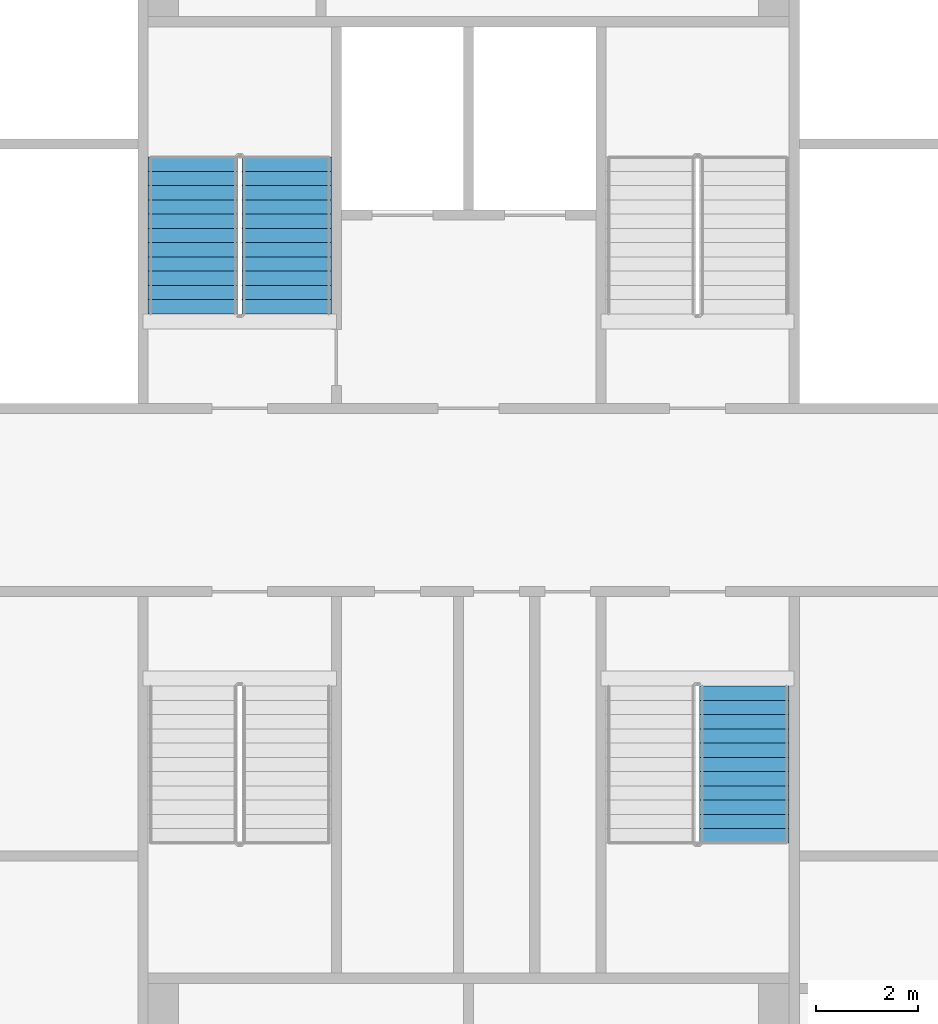
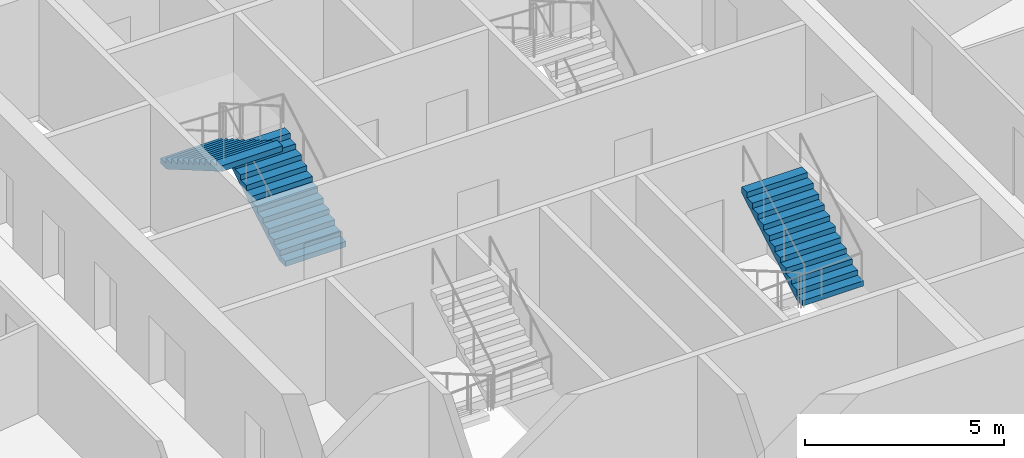
# One storey, part 9 of 15: 3 stair flights, 2 elements without a shape of their own.
"""IFC4 building model written with IfcOpenShell, lengths in metres."""

from ifc_helpers import new_model, si_unit, direction, frame, origin, place, context, subcontext, project, spatial, faceted_brep, material, type_object, element, aggregate, save


model = new_model("IFC4")

# Units and contexts
model_context = context("Model", 3, precision=1e-05, world=origin(), true_north=direction((0.0, 1.0)))
body_context = subcontext(model_context, "Body", "Model", "MODEL_VIEW")
ifc_project = project(units=[si_unit("LENGTHUNIT", "METRE"), si_unit("AREAUNIT", "SQUARE_METRE"), si_unit("VOLUMEUNIT", "CUBIC_METRE"), si_unit("PLANEANGLEUNIT", "RADIAN"), si_unit("MASSUNIT", "GRAM", prefix="KILO")], contexts=[model_context])

# Site, building, storey
site_placement = place(None, origin())
site = spatial("IfcSite", under=ifc_project, at=site_placement, CompositionType="ELEMENT")
building_placement = place(site_placement, origin())
building = spatial("IfcBuilding", under=site, at=building_placement, Name="Tarsis Ring Headquarters", CompositionType="ELEMENT")
storey_placement = place(building_placement, frame((0.0, 0.0, 319.699951171875)))
storey = spatial("IfcBuildingStorey", under=building, at=storey_placement, Name="L75", CompositionType="ELEMENT", Elevation=319.699951171875)

# Stair, stair flights
ifc_material_1 = material(Name="Core stair 1760")
stair_type = type_object("IfcStairType", Name="Core stair 1760", PredefinedType="HALF_TURN_STAIR", material=ifc_material_1)
stair_1_placement = place(storey_placement, origin())
stair_1 = element("IfcStair", 1, at=stair_1_placement, inside=storey, type_object=stair_type, Name="L75 Firefighting stair", PredefinedType="HALF_TURN_STAIR")
ifc_material_2 = material(Name="Concrete C40/50", Category="concrete")
stair_flight_type = type_object("IfcStairFlightType", Name="Core stair flight 1760", PredefinedType="STRAIGHT", material=ifc_material_2)
stair_flight_1_placement = place(storey_placement, frame((-3.580078125, 3.659912109375, 0.0), z_axis=(0.0, 0.0, 1.0), x_axis=(0.0, 1.0, 0.0)))
stair_flight_1 = element("IfcStairFlight", 2, at=stair_flight_1_placement, type_object=stair_flight_type, Name="Stair ST1 flight 1", NumberOfRisers=12, NumberOfTreads=11, PredefinedType="STRAIGHT", RiserHeight=0.1625, TreadLength=0.28, context=body_context, shape_type="Brep", body=[
    faceted_brep([(0.0, 0.8798828125, 0.0), (0.0, 0.8798828125, 0.16259765625), (0.280029296875, 0.8798828125, 0.16259765625), (0.280029296875, 0.8798828125, 0.324951171875), (0.56005859375, 0.8798828125, 0.324951171875), (0.56005859375, 0.8798828125, 0.487548828125), (0.840087890625, 0.8798828125, 0.487548828125), (0.840087890625, 0.8798828125, 0.64990234375), (1.1201171875, 0.8798828125, 0.64990234375), (1.1201171875, 0.8798828125, 0.8125), (1.39990234375, 0.8798828125, 0.8125), (1.39990234375, 0.8798828125, 0.97509765625), (1.679931640625, 0.8798828125, 0.97509765625), (1.679931640625, 0.8798828125, 1.137451171875), (1.9599609375, 0.8798828125, 1.137451171875), (1.9599609375, 0.8798828125, 1.300048828125), (2.239990234375, 0.8798828125, 1.300048828125), (2.239990234375, 0.8798828125, 1.46240234375), (2.52001953125, 0.8798828125, 1.46240234375), (2.52001953125, 0.8798828125, 1.625), (2.800048828125, 0.8798828125, 1.625), (2.800048828125, 0.8798828125, 1.78759765625), (3.080078125, 0.8798828125, 1.78759765625), (3.080078125, 0.8798828125, 1.6142578125), (0.298583984375, 0.8798828125, 0.0), (0.298583984375, -0.8798828125, 0.0), (3.080078125, -0.8798828125, 1.6142578125), (3.080078125, -0.8798828125, 1.78759765625), (2.800048828125, -0.8798828125, 1.78759765625), (2.800048828125, -0.8798828125, 1.625), (2.52001953125, -0.8798828125, 1.625), (2.52001953125, -0.8798828125, 1.46240234375), (2.239990234375, -0.8798828125, 1.46240234375), (2.239990234375, -0.8798828125, 1.300048828125), (1.9599609375, -0.8798828125, 1.300048828125), (1.9599609375, -0.8798828125, 1.137451171875), (1.679931640625, -0.8798828125, 1.137451171875), (1.679931640625, -0.8798828125, 0.97509765625), (1.39990234375, -0.8798828125, 0.97509765625), (1.39990234375, -0.8798828125, 0.8125), (1.1201171875, -0.8798828125, 0.8125), (1.1201171875, -0.8798828125, 0.64990234375), (0.840087890625, -0.8798828125, 0.64990234375), (0.840087890625, -0.8798828125, 0.487548828125), (0.56005859375, -0.8798828125, 0.487548828125), (0.56005859375, -0.8798828125, 0.324951171875), (0.280029296875, -0.8798828125, 0.324951171875), (0.280029296875, -0.8798828125, 0.16259765625), (0.0, -0.8798828125, 0.16259765625), (0.0, -0.8798828125, 0.0), (0.0, -0.43994140625, 0.16259765625), (0.0, -0.43994140625, 0.0), (0.0, 0.0, 0.16259765625), (0.0, 0.0, 0.0), (0.0, 0.43994140625, 0.16259765625), (0.0, 0.43994140625, 0.0), (0.280029296875, -0.43994140625, 0.16259765625), (0.280029296875, 0.0, 0.16259765625), (0.280029296875, 0.43994140625, 0.16259765625), (0.280029296875, -0.43994140625, 0.324951171875), (0.280029296875, 0.0, 0.324951171875), (0.280029296875, 0.43994140625, 0.324951171875), (0.56005859375, -0.43994140625, 0.324951171875), (0.56005859375, 0.0, 0.324951171875), (0.56005859375, 0.43994140625, 0.324951171875), (0.56005859375, -0.43994140625, 0.487548828125), (0.56005859375, 0.0, 0.487548828125), (0.56005859375, 0.43994140625, 0.487548828125), (0.840087890625, -0.43994140625, 0.487548828125), (0.840087890625, 0.0, 0.487548828125), (0.840087890625, 0.43994140625, 0.487548828125), (0.840087890625, -0.43994140625, 0.64990234375), (0.840087890625, 0.0, 0.64990234375), (0.840087890625, 0.43994140625, 0.64990234375), (1.1201171875, -0.43994140625, 0.64990234375), (1.1201171875, 0.0, 0.64990234375), (1.1201171875, 0.43994140625, 0.64990234375), (1.1201171875, -0.43994140625, 0.8125), (1.1201171875, 0.0, 0.8125), (1.1201171875, 0.43994140625, 0.8125), (1.39990234375, -0.43994140625, 0.8125), (1.39990234375, 0.0, 0.8125), (1.39990234375, 0.43994140625, 0.8125), (1.39990234375, -0.43994140625, 0.97509765625), (1.39990234375, 0.0, 0.97509765625), (1.39990234375, 0.43994140625, 0.97509765625), (1.679931640625, -0.43994140625, 0.97509765625), (1.679931640625, 0.0, 0.97509765625), (1.679931640625, 0.43994140625, 0.97509765625), (1.679931640625, -0.43994140625, 1.137451171875), (1.679931640625, 0.0, 1.137451171875), (1.679931640625, 0.43994140625, 1.137451171875), (1.9599609375, -0.43994140625, 1.137451171875), (1.9599609375, 0.0, 1.137451171875), (1.9599609375, 0.43994140625, 1.137451171875), (1.9599609375, -0.43994140625, 1.300048828125), (1.9599609375, 0.0, 1.300048828125), (1.9599609375, 0.43994140625, 1.300048828125), (2.239990234375, -0.43994140625, 1.300048828125), (2.239990234375, 0.0, 1.300048828125), (2.239990234375, 0.43994140625, 1.300048828125), (2.239990234375, -0.43994140625, 1.46240234375), (2.239990234375, 0.0, 1.46240234375), (2.239990234375, 0.43994140625, 1.46240234375), (2.52001953125, -0.43994140625, 1.46240234375), (2.52001953125, 0.0, 1.46240234375), (2.52001953125, 0.43994140625, 1.46240234375), (2.52001953125, -0.43994140625, 1.625), (2.52001953125, 0.0, 1.625), (2.52001953125, 0.43994140625, 1.625), (2.800048828125, -0.43994140625, 1.625), (2.800048828125, 0.0, 1.625), (2.800048828125, 0.43994140625, 1.625), (2.800048828125, -0.43994140625, 1.78759765625), (2.800048828125, 0.0, 1.78759765625), (2.800048828125, 0.43994140625, 1.78759765625), (3.080078125, -0.43994140625, 1.78759765625), (3.080078125, 0.0, 1.78759765625), (3.080078125, 0.43994140625, 1.78759765625), (3.080078125, -0.43994140625, 1.6142578125), (3.080078125, 0.0, 1.6142578125), (3.080078125, 0.43994140625, 1.6142578125), (0.298583984375, -0.43994140625, 0.0), (0.298583984375, 0.0, 0.0), (0.298583984375, 0.43994140625, 0.0)], [[[0, 1, 2, 3, 4, 5, 6, 7, 8, 9, 10, 11, 12, 13, 14, 15, 16, 17, 18, 19, 20, 21, 22, 23, 24]], [[25, 26, 27, 28, 29, 30, 31, 32, 33, 34, 35, 36, 37, 38, 39, 40, 41, 42, 43, 44, 45, 46, 47, 48, 49]], [[49, 48, 50, 51]], [[51, 50, 52, 53]], [[53, 52, 54, 55]], [[55, 54, 1, 0]], [[48, 47, 56, 50]], [[50, 56, 57, 52]], [[52, 57, 58, 54]], [[54, 58, 2, 1]], [[47, 46, 59, 56]], [[56, 59, 60, 57]], [[57, 60, 61, 58]], [[58, 61, 3, 2]], [[46, 45, 62, 59]], [[59, 62, 63, 60]], [[60, 63, 64, 61]], [[61, 64, 4, 3]], [[45, 44, 65, 62]], [[62, 65, 66, 63]], [[63, 66, 67, 64]], [[64, 67, 5, 4]], [[44, 43, 68, 65]], [[65, 68, 69, 66]], [[66, 69, 70, 67]], [[67, 70, 6, 5]], [[43, 42, 71, 68]], [[68, 71, 72, 69]], [[69, 72, 73, 70]], [[70, 73, 7, 6]], [[42, 41, 74, 71]], [[71, 74, 75, 72]], [[72, 75, 76, 73]], [[73, 76, 8, 7]], [[41, 40, 77, 74]], [[74, 77, 78, 75]], [[75, 78, 79, 76]], [[76, 79, 9, 8]], [[40, 39, 80, 77]], [[77, 80, 81, 78]], [[78, 81, 82, 79]], [[79, 82, 10, 9]], [[39, 38, 83, 80]], [[80, 83, 84, 81]], [[81, 84, 85, 82]], [[82, 85, 11, 10]], [[38, 37, 86, 83]], [[83, 86, 87, 84]], [[84, 87, 88, 85]], [[85, 88, 12, 11]], [[37, 36, 89, 86]], [[86, 89, 90, 87]], [[87, 90, 91, 88]], [[88, 91, 13, 12]], [[36, 35, 92, 89]], [[89, 92, 93, 90]], [[90, 93, 94, 91]], [[91, 94, 14, 13]], [[35, 34, 95, 92]], [[92, 95, 96, 93]], [[93, 96, 97, 94]], [[94, 97, 15, 14]], [[34, 33, 98, 95]], [[95, 98, 99, 96]], [[96, 99, 100, 97]], [[97, 100, 16, 15]], [[33, 32, 101, 98]], [[98, 101, 102, 99]], [[99, 102, 103, 100]], [[100, 103, 17, 16]], [[32, 31, 104, 101]], [[101, 104, 105, 102]], [[102, 105, 106, 103]], [[103, 106, 18, 17]], [[31, 30, 107, 104]], [[104, 107, 108, 105]], [[105, 108, 109, 106]], [[106, 109, 19, 18]], [[30, 29, 110, 107]], [[107, 110, 111, 108]], [[108, 111, 112, 109]], [[109, 112, 20, 19]], [[29, 28, 113, 110]], [[110, 113, 114, 111]], [[111, 114, 115, 112]], [[112, 115, 21, 20]], [[28, 27, 116, 113]], [[113, 116, 117, 114]], [[114, 117, 118, 115]], [[115, 118, 22, 21]], [[27, 26, 119, 116]], [[116, 119, 120, 117]], [[117, 120, 121, 118]], [[118, 121, 23, 22]], [[26, 25, 122, 119]], [[119, 122, 123, 120]], [[120, 123, 124, 121]], [[121, 124, 24, 23]], [[25, 49, 51, 122]], [[122, 51, 53, 123]], [[123, 53, 55, 124]], [[124, 55, 0, 24]]]),
])
stair_flight_2_placement = place(storey_placement, frame((-5.419921875, 6.739990234375, 1.949951171875), z_axis=(0.0, 0.0, 1.0), x_axis=(0.0, -1.0, 0.0)))
stair_flight_2 = element("IfcStairFlight", 3, at=stair_flight_2_placement, type_object=stair_flight_type, Name="Stair ST1 flight 2", NumberOfRisers=12, NumberOfTreads=11, PredefinedType="STRAIGHT", RiserHeight=0.1625, TreadLength=0.28, context=body_context, shape_type="Brep", body=[
    faceted_brep([(0.0, 0.8798828125, 0.0), (0.0, 0.8798828125, 0.16259765625), (0.280029296875, 0.8798828125, 0.16259765625), (0.280029296875, 0.8798828125, 0.324951171875), (0.56005859375, 0.8798828125, 0.324951171875), (0.56005859375, 0.8798828125, 0.487548828125), (0.840087890625, 0.8798828125, 0.487548828125), (0.840087890625, 0.8798828125, 0.64990234375), (1.1201171875, 0.8798828125, 0.64990234375), (1.1201171875, 0.8798828125, 0.8125), (1.39990234375, 0.8798828125, 0.8125), (1.39990234375, 0.8798828125, 0.97509765625), (1.679931640625, 0.8798828125, 0.97509765625), (1.679931640625, 0.8798828125, 1.137451171875), (1.9599609375, 0.8798828125, 1.137451171875), (1.9599609375, 0.8798828125, 1.300048828125), (2.239990234375, 0.8798828125, 1.300048828125), (2.239990234375, 0.8798828125, 1.46240234375), (2.52001953125, 0.8798828125, 1.46240234375), (2.52001953125, 0.8798828125, 1.625), (2.800048828125, 0.8798828125, 1.625), (2.800048828125, 0.8798828125, 1.78759765625), (3.080078125, 0.8798828125, 1.78759765625), (3.080078125, 0.8798828125, 1.6142578125), (0.298583984375, 0.8798828125, 0.0), (0.298583984375, -0.8798828125, 0.0), (3.080078125, -0.8798828125, 1.6142578125), (3.080078125, -0.8798828125, 1.78759765625), (2.800048828125, -0.8798828125, 1.78759765625), (2.800048828125, -0.8798828125, 1.625), (2.52001953125, -0.8798828125, 1.625), (2.52001953125, -0.8798828125, 1.46240234375), (2.239990234375, -0.8798828125, 1.46240234375), (2.239990234375, -0.8798828125, 1.300048828125), (1.9599609375, -0.8798828125, 1.300048828125), (1.9599609375, -0.8798828125, 1.137451171875), (1.679931640625, -0.8798828125, 1.137451171875), (1.679931640625, -0.8798828125, 0.97509765625), (1.39990234375, -0.8798828125, 0.97509765625), (1.39990234375, -0.8798828125, 0.8125), (1.1201171875, -0.8798828125, 0.8125), (1.1201171875, -0.8798828125, 0.64990234375), (0.840087890625, -0.8798828125, 0.64990234375), (0.840087890625, -0.8798828125, 0.487548828125), (0.56005859375, -0.8798828125, 0.487548828125), (0.56005859375, -0.8798828125, 0.324951171875), (0.280029296875, -0.8798828125, 0.324951171875), (0.280029296875, -0.8798828125, 0.16259765625), (0.0, -0.8798828125, 0.16259765625), (0.0, -0.8798828125, 0.0), (0.0, -0.43994140625, 0.16259765625), (0.0, -0.43994140625, 0.0), (0.0, 0.0, 0.16259765625), (0.0, 0.0, 0.0), (0.0, 0.43994140625, 0.16259765625), (0.0, 0.43994140625, 0.0), (0.280029296875, -0.43994140625, 0.16259765625), (0.280029296875, 0.0, 0.16259765625), (0.280029296875, 0.43994140625, 0.16259765625), (0.280029296875, -0.43994140625, 0.324951171875), (0.280029296875, 0.0, 0.324951171875), (0.280029296875, 0.43994140625, 0.324951171875), (0.56005859375, -0.43994140625, 0.324951171875), (0.56005859375, 0.0, 0.324951171875), (0.56005859375, 0.43994140625, 0.324951171875), (0.56005859375, -0.43994140625, 0.487548828125), (0.56005859375, 0.0, 0.487548828125), (0.56005859375, 0.43994140625, 0.487548828125), (0.840087890625, -0.43994140625, 0.487548828125), (0.840087890625, 0.0, 0.487548828125), (0.840087890625, 0.43994140625, 0.487548828125), (0.840087890625, -0.43994140625, 0.64990234375), (0.840087890625, 0.0, 0.64990234375), (0.840087890625, 0.43994140625, 0.64990234375), (1.1201171875, -0.43994140625, 0.64990234375), (1.1201171875, 0.0, 0.64990234375), (1.1201171875, 0.43994140625, 0.64990234375), (1.1201171875, -0.43994140625, 0.8125), (1.1201171875, 0.0, 0.8125), (1.1201171875, 0.43994140625, 0.8125), (1.39990234375, -0.43994140625, 0.8125), (1.39990234375, 0.0, 0.8125), (1.39990234375, 0.43994140625, 0.8125), (1.39990234375, -0.43994140625, 0.97509765625), (1.39990234375, 0.0, 0.97509765625), (1.39990234375, 0.43994140625, 0.97509765625), (1.679931640625, -0.43994140625, 0.97509765625), (1.679931640625, 0.0, 0.97509765625), (1.679931640625, 0.43994140625, 0.97509765625), (1.679931640625, -0.43994140625, 1.137451171875), (1.679931640625, 0.0, 1.137451171875), (1.679931640625, 0.43994140625, 1.137451171875), (1.9599609375, -0.43994140625, 1.137451171875), (1.9599609375, 0.0, 1.137451171875), (1.9599609375, 0.43994140625, 1.137451171875), (1.9599609375, -0.43994140625, 1.300048828125), (1.9599609375, 0.0, 1.300048828125), (1.9599609375, 0.43994140625, 1.300048828125), (2.239990234375, -0.43994140625, 1.300048828125), (2.239990234375, 0.0, 1.300048828125), (2.239990234375, 0.43994140625, 1.300048828125), (2.239990234375, -0.43994140625, 1.46240234375), (2.239990234375, 0.0, 1.46240234375), (2.239990234375, 0.43994140625, 1.46240234375), (2.52001953125, -0.43994140625, 1.46240234375), (2.52001953125, 0.0, 1.46240234375), (2.52001953125, 0.43994140625, 1.46240234375), (2.52001953125, -0.43994140625, 1.625), (2.52001953125, 0.0, 1.625), (2.52001953125, 0.43994140625, 1.625), (2.800048828125, -0.43994140625, 1.625), (2.800048828125, 0.0, 1.625), (2.800048828125, 0.43994140625, 1.625), (2.800048828125, -0.43994140625, 1.78759765625), (2.800048828125, 0.0, 1.78759765625), (2.800048828125, 0.43994140625, 1.78759765625), (3.080078125, -0.43994140625, 1.78759765625), (3.080078125, 0.0, 1.78759765625), (3.080078125, 0.43994140625, 1.78759765625), (3.080078125, -0.43994140625, 1.6142578125), (3.080078125, 0.0, 1.6142578125), (3.080078125, 0.43994140625, 1.6142578125), (0.298583984375, -0.43994140625, 0.0), (0.298583984375, 0.0, 0.0), (0.298583984375, 0.43994140625, 0.0)], [[[0, 1, 2, 3, 4, 5, 6, 7, 8, 9, 10, 11, 12, 13, 14, 15, 16, 17, 18, 19, 20, 21, 22, 23, 24]], [[25, 26, 27, 28, 29, 30, 31, 32, 33, 34, 35, 36, 37, 38, 39, 40, 41, 42, 43, 44, 45, 46, 47, 48, 49]], [[49, 48, 50, 51]], [[51, 50, 52, 53]], [[53, 52, 54, 55]], [[55, 54, 1, 0]], [[48, 47, 56, 50]], [[50, 56, 57, 52]], [[52, 57, 58, 54]], [[54, 58, 2, 1]], [[47, 46, 59, 56]], [[56, 59, 60, 57]], [[57, 60, 61, 58]], [[58, 61, 3, 2]], [[46, 45, 62, 59]], [[59, 62, 63, 60]], [[60, 63, 64, 61]], [[61, 64, 4, 3]], [[45, 44, 65, 62]], [[62, 65, 66, 63]], [[63, 66, 67, 64]], [[64, 67, 5, 4]], [[44, 43, 68, 65]], [[65, 68, 69, 66]], [[66, 69, 70, 67]], [[67, 70, 6, 5]], [[43, 42, 71, 68]], [[68, 71, 72, 69]], [[69, 72, 73, 70]], [[70, 73, 7, 6]], [[42, 41, 74, 71]], [[71, 74, 75, 72]], [[72, 75, 76, 73]], [[73, 76, 8, 7]], [[41, 40, 77, 74]], [[74, 77, 78, 75]], [[75, 78, 79, 76]], [[76, 79, 9, 8]], [[40, 39, 80, 77]], [[77, 80, 81, 78]], [[78, 81, 82, 79]], [[79, 82, 10, 9]], [[39, 38, 83, 80]], [[80, 83, 84, 81]], [[81, 84, 85, 82]], [[82, 85, 11, 10]], [[38, 37, 86, 83]], [[83, 86, 87, 84]], [[84, 87, 88, 85]], [[85, 88, 12, 11]], [[37, 36, 89, 86]], [[86, 89, 90, 87]], [[87, 90, 91, 88]], [[88, 91, 13, 12]], [[36, 35, 92, 89]], [[89, 92, 93, 90]], [[90, 93, 94, 91]], [[91, 94, 14, 13]], [[35, 34, 95, 92]], [[92, 95, 96, 93]], [[93, 96, 97, 94]], [[94, 97, 15, 14]], [[34, 33, 98, 95]], [[95, 98, 99, 96]], [[96, 99, 100, 97]], [[97, 100, 16, 15]], [[33, 32, 101, 98]], [[98, 101, 102, 99]], [[99, 102, 103, 100]], [[100, 103, 17, 16]], [[32, 31, 104, 101]], [[101, 104, 105, 102]], [[102, 105, 106, 103]], [[103, 106, 18, 17]], [[31, 30, 107, 104]], [[104, 107, 108, 105]], [[105, 108, 109, 106]], [[106, 109, 19, 18]], [[30, 29, 110, 107]], [[107, 110, 111, 108]], [[108, 111, 112, 109]], [[109, 112, 20, 19]], [[29, 28, 113, 110]], [[110, 113, 114, 111]], [[111, 114, 115, 112]], [[112, 115, 21, 20]], [[28, 27, 116, 113]], [[113, 116, 117, 114]], [[114, 117, 118, 115]], [[115, 118, 22, 21]], [[27, 26, 119, 116]], [[116, 119, 120, 117]], [[117, 120, 121, 118]], [[118, 121, 23, 22]], [[26, 25, 122, 119]], [[119, 122, 123, 120]], [[120, 123, 124, 121]], [[121, 124, 24, 23]], [[25, 49, 51, 122]], [[122, 51, 53, 123]], [[123, 53, 55, 124]], [[124, 55, 0, 24]]]),
])
aggregate(stair_1, [stair_flight_1, stair_flight_2])

# Stair, stair flight
stair_2_placement = place(storey_placement, origin())
stair_2 = element("IfcStair", 4, at=stair_2_placement, inside=storey, type_object=stair_type, Name="L75 Exit stair D", PredefinedType="HALF_TURN_STAIR")
stair_flight_3_placement = place(storey_placement, frame((5.419921875, -6.739990234375, 1.949951171875), z_axis=(0.0, 0.0, 1.0), x_axis=(0.0, 1.0, 0.0)))
stair_flight_3 = element("IfcStairFlight", 5, at=stair_flight_3_placement, type_object=stair_flight_type, Name="Stair ST4 flight 2", NumberOfRisers=12, NumberOfTreads=11, PredefinedType="STRAIGHT", RiserHeight=0.1625, TreadLength=0.28, context=body_context, shape_type="Brep", body=[
    faceted_brep([(0.0, 0.8798828125, 0.0), (0.0, 0.8798828125, 0.16259765625), (0.280029296875, 0.8798828125, 0.16259765625), (0.280029296875, 0.8798828125, 0.324951171875), (0.56005859375, 0.8798828125, 0.324951171875), (0.56005859375, 0.8798828125, 0.487548828125), (0.840087890625, 0.8798828125, 0.487548828125), (0.840087890625, 0.8798828125, 0.64990234375), (1.1201171875, 0.8798828125, 0.64990234375), (1.1201171875, 0.8798828125, 0.8125), (1.39990234375, 0.8798828125, 0.8125), (1.39990234375, 0.8798828125, 0.97509765625), (1.679931640625, 0.8798828125, 0.97509765625), (1.679931640625, 0.8798828125, 1.137451171875), (1.9599609375, 0.8798828125, 1.137451171875), (1.9599609375, 0.8798828125, 1.300048828125), (2.239990234375, 0.8798828125, 1.300048828125), (2.239990234375, 0.8798828125, 1.46240234375), (2.52001953125, 0.8798828125, 1.46240234375), (2.52001953125, 0.8798828125, 1.625), (2.800048828125, 0.8798828125, 1.625), (2.800048828125, 0.8798828125, 1.78759765625), (3.080078125, 0.8798828125, 1.78759765625), (3.080078125, 0.8798828125, 1.6142578125), (0.298583984375, 0.8798828125, 0.0), (0.298583984375, -0.8798828125, 0.0), (3.080078125, -0.8798828125, 1.6142578125), (3.080078125, -0.8798828125, 1.78759765625), (2.800048828125, -0.8798828125, 1.78759765625), (2.800048828125, -0.8798828125, 1.625), (2.52001953125, -0.8798828125, 1.625), (2.52001953125, -0.8798828125, 1.46240234375), (2.239990234375, -0.8798828125, 1.46240234375), (2.239990234375, -0.8798828125, 1.300048828125), (1.9599609375, -0.8798828125, 1.300048828125), (1.9599609375, -0.8798828125, 1.137451171875), (1.679931640625, -0.8798828125, 1.137451171875), (1.679931640625, -0.8798828125, 0.97509765625), (1.39990234375, -0.8798828125, 0.97509765625), (1.39990234375, -0.8798828125, 0.8125), (1.1201171875, -0.8798828125, 0.8125), (1.1201171875, -0.8798828125, 0.64990234375), (0.840087890625, -0.8798828125, 0.64990234375), (0.840087890625, -0.8798828125, 0.487548828125), (0.56005859375, -0.8798828125, 0.487548828125), (0.56005859375, -0.8798828125, 0.324951171875), (0.280029296875, -0.8798828125, 0.324951171875), (0.280029296875, -0.8798828125, 0.16259765625), (0.0, -0.8798828125, 0.16259765625), (0.0, -0.8798828125, 0.0), (0.0, -0.43994140625, 0.16259765625), (0.0, -0.43994140625, 0.0), (0.0, 0.0, 0.16259765625), (0.0, 0.0, 0.0), (0.0, 0.43994140625, 0.16259765625), (0.0, 0.43994140625, 0.0), (0.280029296875, -0.43994140625, 0.16259765625), (0.280029296875, 0.0, 0.16259765625), (0.280029296875, 0.43994140625, 0.16259765625), (0.280029296875, -0.43994140625, 0.324951171875), (0.280029296875, 0.0, 0.324951171875), (0.280029296875, 0.43994140625, 0.324951171875), (0.56005859375, -0.43994140625, 0.324951171875), (0.56005859375, 0.0, 0.324951171875), (0.56005859375, 0.43994140625, 0.324951171875), (0.56005859375, -0.43994140625, 0.487548828125), (0.56005859375, 0.0, 0.487548828125), (0.56005859375, 0.43994140625, 0.487548828125), (0.840087890625, -0.43994140625, 0.487548828125), (0.840087890625, 0.0, 0.487548828125), (0.840087890625, 0.43994140625, 0.487548828125), (0.840087890625, -0.43994140625, 0.64990234375), (0.840087890625, 0.0, 0.64990234375), (0.840087890625, 0.43994140625, 0.64990234375), (1.1201171875, -0.43994140625, 0.64990234375), (1.1201171875, 0.0, 0.64990234375), (1.1201171875, 0.43994140625, 0.64990234375), (1.1201171875, -0.43994140625, 0.8125), (1.1201171875, 0.0, 0.8125), (1.1201171875, 0.43994140625, 0.8125), (1.39990234375, -0.43994140625, 0.8125), (1.39990234375, 0.0, 0.8125), (1.39990234375, 0.43994140625, 0.8125), (1.39990234375, -0.43994140625, 0.97509765625), (1.39990234375, 0.0, 0.97509765625), (1.39990234375, 0.43994140625, 0.97509765625), (1.679931640625, -0.43994140625, 0.97509765625), (1.679931640625, 0.0, 0.97509765625), (1.679931640625, 0.43994140625, 0.97509765625), (1.679931640625, -0.43994140625, 1.137451171875), (1.679931640625, 0.0, 1.137451171875), (1.679931640625, 0.43994140625, 1.137451171875), (1.9599609375, -0.43994140625, 1.137451171875), (1.9599609375, 0.0, 1.137451171875), (1.9599609375, 0.43994140625, 1.137451171875), (1.9599609375, -0.43994140625, 1.300048828125), (1.9599609375, 0.0, 1.300048828125), (1.9599609375, 0.43994140625, 1.300048828125), (2.239990234375, -0.43994140625, 1.300048828125), (2.239990234375, 0.0, 1.300048828125), (2.239990234375, 0.43994140625, 1.300048828125), (2.239990234375, -0.43994140625, 1.46240234375), (2.239990234375, 0.0, 1.46240234375), (2.239990234375, 0.43994140625, 1.46240234375), (2.52001953125, -0.43994140625, 1.46240234375), (2.52001953125, 0.0, 1.46240234375), (2.52001953125, 0.43994140625, 1.46240234375), (2.52001953125, -0.43994140625, 1.625), (2.52001953125, 0.0, 1.625), (2.52001953125, 0.43994140625, 1.625), (2.800048828125, -0.43994140625, 1.625), (2.800048828125, 0.0, 1.625), (2.800048828125, 0.43994140625, 1.625), (2.800048828125, -0.43994140625, 1.78759765625), (2.800048828125, 0.0, 1.78759765625), (2.800048828125, 0.43994140625, 1.78759765625), (3.080078125, -0.43994140625, 1.78759765625), (3.080078125, 0.0, 1.78759765625), (3.080078125, 0.43994140625, 1.78759765625), (3.080078125, -0.43994140625, 1.6142578125), (3.080078125, 0.0, 1.6142578125), (3.080078125, 0.43994140625, 1.6142578125), (0.298583984375, -0.43994140625, 0.0), (0.298583984375, 0.0, 0.0), (0.298583984375, 0.43994140625, 0.0)], [[[0, 1, 2, 3, 4, 5, 6, 7, 8, 9, 10, 11, 12, 13, 14, 15, 16, 17, 18, 19, 20, 21, 22, 23, 24]], [[25, 26, 27, 28, 29, 30, 31, 32, 33, 34, 35, 36, 37, 38, 39, 40, 41, 42, 43, 44, 45, 46, 47, 48, 49]], [[49, 48, 50, 51]], [[51, 50, 52, 53]], [[53, 52, 54, 55]], [[55, 54, 1, 0]], [[48, 47, 56, 50]], [[50, 56, 57, 52]], [[52, 57, 58, 54]], [[54, 58, 2, 1]], [[47, 46, 59, 56]], [[56, 59, 60, 57]], [[57, 60, 61, 58]], [[58, 61, 3, 2]], [[46, 45, 62, 59]], [[59, 62, 63, 60]], [[60, 63, 64, 61]], [[61, 64, 4, 3]], [[45, 44, 65, 62]], [[62, 65, 66, 63]], [[63, 66, 67, 64]], [[64, 67, 5, 4]], [[44, 43, 68, 65]], [[65, 68, 69, 66]], [[66, 69, 70, 67]], [[67, 70, 6, 5]], [[43, 42, 71, 68]], [[68, 71, 72, 69]], [[69, 72, 73, 70]], [[70, 73, 7, 6]], [[42, 41, 74, 71]], [[71, 74, 75, 72]], [[72, 75, 76, 73]], [[73, 76, 8, 7]], [[41, 40, 77, 74]], [[74, 77, 78, 75]], [[75, 78, 79, 76]], [[76, 79, 9, 8]], [[40, 39, 80, 77]], [[77, 80, 81, 78]], [[78, 81, 82, 79]], [[79, 82, 10, 9]], [[39, 38, 83, 80]], [[80, 83, 84, 81]], [[81, 84, 85, 82]], [[82, 85, 11, 10]], [[38, 37, 86, 83]], [[83, 86, 87, 84]], [[84, 87, 88, 85]], [[85, 88, 12, 11]], [[37, 36, 89, 86]], [[86, 89, 90, 87]], [[87, 90, 91, 88]], [[88, 91, 13, 12]], [[36, 35, 92, 89]], [[89, 92, 93, 90]], [[90, 93, 94, 91]], [[91, 94, 14, 13]], [[35, 34, 95, 92]], [[92, 95, 96, 93]], [[93, 96, 97, 94]], [[94, 97, 15, 14]], [[34, 33, 98, 95]], [[95, 98, 99, 96]], [[96, 99, 100, 97]], [[97, 100, 16, 15]], [[33, 32, 101, 98]], [[98, 101, 102, 99]], [[99, 102, 103, 100]], [[100, 103, 17, 16]], [[32, 31, 104, 101]], [[101, 104, 105, 102]], [[102, 105, 106, 103]], [[103, 106, 18, 17]], [[31, 30, 107, 104]], [[104, 107, 108, 105]], [[105, 108, 109, 106]], [[106, 109, 19, 18]], [[30, 29, 110, 107]], [[107, 110, 111, 108]], [[108, 111, 112, 109]], [[109, 112, 20, 19]], [[29, 28, 113, 110]], [[110, 113, 114, 111]], [[111, 114, 115, 112]], [[112, 115, 21, 20]], [[28, 27, 116, 113]], [[113, 116, 117, 114]], [[114, 117, 118, 115]], [[115, 118, 22, 21]], [[27, 26, 119, 116]], [[116, 119, 120, 117]], [[117, 120, 121, 118]], [[118, 121, 23, 22]], [[26, 25, 122, 119]], [[119, 122, 123, 120]], [[120, 123, 124, 121]], [[121, 124, 24, 23]], [[25, 49, 51, 122]], [[122, 51, 53, 123]], [[123, 53, 55, 124]], [[124, 55, 0, 24]]]),
])
aggregate(stair_2, [stair_flight_3])

save(model, "model.ifc")
